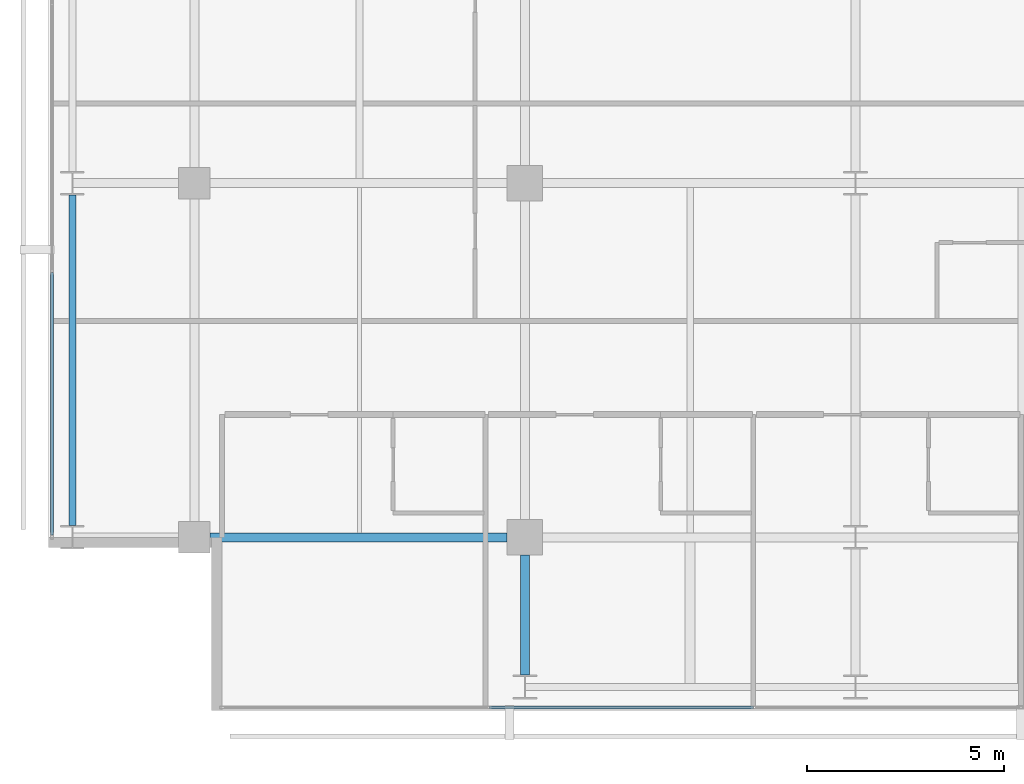
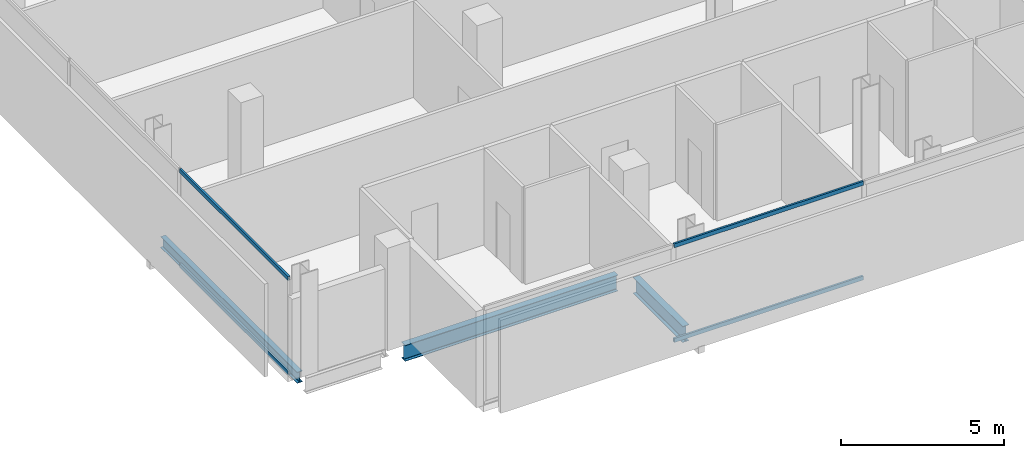
# One storey, part 3 of 33: 4 members, 3 beams, 2 elements without a shape of their own.
"""IFC4 building model written with IfcOpenShell, lengths in metres."""

from ifc_helpers import new_model, si_unit, direction, frame, origin, origin_2d, place, context, subcontext, project, spatial, hollow_rectangle, i_section, extrude, material, layer, layer_set, material_profile, profile_set, type_object, element, aggregate, save


model = new_model("IFC4")

# Units and contexts
model_context = context("Model", 3, precision=1e-05, world=origin(), true_north=direction((0.0, 1.0)))
body_context = subcontext(model_context, "Body", "Model", "MODEL_VIEW")
ifc_project = project(units=[si_unit("LENGTHUNIT", "METRE"), si_unit("AREAUNIT", "SQUARE_METRE"), si_unit("VOLUMEUNIT", "CUBIC_METRE"), si_unit("PLANEANGLEUNIT", "RADIAN"), si_unit("MASSUNIT", "GRAM", prefix="KILO")], contexts=[model_context])

# Site, building, storey
site_placement = place(None, origin())
site = spatial("IfcSite", under=ifc_project, at=site_placement, CompositionType="ELEMENT")
building_placement = place(site_placement, origin())
building = spatial("IfcBuilding", under=site, at=building_placement, Name="Maruvema Waterfront Hotel and Observation Tower", CompositionType="ELEMENT")
storey_placement = place(building_placement, frame((0.0, 0.0, 158.199951171875)))
storey = spatial("IfcBuildingStorey", under=building, at=storey_placement, Name="L38", CompositionType="ELEMENT", Elevation=158.199951171875)

# Curtain wall, members
ifc_material_1 = material(Name="Anodised bronze aluminium and solar-control low-E IGU", Category="aluminium")
ifc_layer = layer(ifc_material_1, 0.159912109375, Name="Zone 2 Amber Inner Thermal Curtain Wall System CW-03")
ifc_layer_set = layer_set([ifc_layer], Name="Anodised bronze aluminium and solar-control low-E IGU")
curtain_wall_type = type_object("IfcCurtainWallType", Name="Zone 2 Amber Inner Thermal Curtain Wall System CW-03", PredefinedType="USERDEFINED", material=ifc_layer_set)
curtain_wall_1_placement = place(storey_placement, origin())
curtain_wall_1 = element("IfcCurtainWall", 1, at=curtain_wall_1_placement, inside=storey, type_object=curtain_wall_type, Name="L38 Curtain Wall CW-L38-S", ObjectType="UNITISED CURTAIN WALL", PredefinedType="USERDEFINED")
ifc_material_2 = material(Name="Anodised architectural bronze aluminium", Category="aluminium")
ifc_material_profile_1 = material_profile(ifc_material_2, hollow_rectangle(XDim=0.070068359375, YDim=0.14990234375, WallThickness=0.00390625, at=origin_2d()), Name="ALU-T70x150")
ifc_profile_set_1 = profile_set([ifc_material_profile_1], Name="Anodised architectural bronze aluminium")
member_type = type_object("IfcMemberType", Name="Curtain Wall Horizontal Transom ALU-T70x150", PredefinedType="USERDEFINED", material=ifc_profile_set_1)
member_1_placement = place(storey_placement, frame((24.296630859375, 4.679931640625, 0.030029296875), z_axis=(1.0, 0.0, 0.0), x_axis=(0.0, 1.0, 0.0)))
member_1 = element("IfcMember", 2, at=member_1_placement, type_object=member_type, Name="CW-03 transom 2.1", ObjectType="TRANSOM", PredefinedType="USERDEFINED", context=body_context, shape_type="SweptSolid", body=[
    extrude(hollow_rectangle(XDim=0.070068359375, YDim=0.14990234375, WallThickness=0.00390625, at=origin_2d()), origin(), (0.0, 0.0, 1.0), 6.706787109375),
])
member_2_placement = place(storey_placement, frame((24.296630859375, 4.679931640625, 3.580078125), z_axis=(1.0, 0.0, 0.0), x_axis=(0.0, 1.0, 0.0)))
member_2 = element("IfcMember", 3, at=member_2_placement, type_object=member_type, Name="CW-03 transom 2.2", ObjectType="TRANSOM", PredefinedType="USERDEFINED", context=body_context, shape_type="SweptSolid", body=[
    extrude(hollow_rectangle(XDim=0.070068359375, YDim=0.14990234375, WallThickness=0.00390625, at=origin_2d()), origin(), (0.0, 0.0, 1.0), 6.706787109375),
])
aggregate(curtain_wall_1, [member_1, member_2])

curtain_wall_2_placement = place(storey_placement, origin())
curtain_wall_2 = element("IfcCurtainWall", 4, at=curtain_wall_2_placement, inside=storey, type_object=curtain_wall_type, Name="L38 Curtain Wall CW-L38-W", ObjectType="UNITISED CURTAIN WALL", PredefinedType="USERDEFINED")
member_3_placement = place(storey_placement, frame((13.179931640625, 15.736572265625, 0.030029296875), z_axis=(0.0, -1.0, 0.0), x_axis=(1.0, 0.0, 0.0)))
member_3 = element("IfcMember", 5, at=member_3_placement, type_object=member_type, Name="CW-03 transom 6.1", ObjectType="TRANSOM", PredefinedType="USERDEFINED", context=body_context, shape_type="SweptSolid", body=[
    extrude(hollow_rectangle(XDim=0.070068359375, YDim=0.14990234375, WallThickness=0.00390625, at=origin_2d()), origin(), (0.0, 0.0, 1.0), 6.676513671875),
])
member_4_placement = place(storey_placement, frame((13.179931640625, 15.736572265625, 3.580078125), z_axis=(0.0, -1.0, 0.0), x_axis=(1.0, 0.0, 0.0)))
member_4 = element("IfcMember", 6, at=member_4_placement, type_object=member_type, Name="CW-03 transom 6.2", ObjectType="TRANSOM", PredefinedType="USERDEFINED", context=body_context, shape_type="SweptSolid", body=[
    extrude(hollow_rectangle(XDim=0.070068359375, YDim=0.14990234375, WallThickness=0.00390625, at=origin_2d()), origin(), (0.0, 0.0, 1.0), 6.676513671875),
])
aggregate(curtain_wall_2, [member_3, member_4])

# Beams
ifc_material_3 = material(Name="Steel ASTM A572 Grade 50", Category="steel")
ifc_material_profile_2 = material_profile(ifc_material_3, i_section(OverallWidth=0.180908203125, OverallDepth=0.4169921875, WebThickness=0.010986328125, FlangeThickness=0.018310546875, FilletRadius=0.014892578125, at=origin_2d()), Name="W410x85.0")
ifc_profile_set_2 = profile_set([ifc_material_profile_2], Name="Steel ASTM A572 Grade 50")
beam_type_1 = type_object("IfcBeamType", Name="Perimeter Spandrel Beam W410x85.0", PredefinedType="SPANDREL", material=ifc_profile_set_2)
beam_1_placement = place(storey_placement, frame((13.699951171875, 9.300048828125, -0.448486328125), z_axis=(0.0, 1.0, 0.0), x_axis=(-1.0, 0.0, 0.0)))
element("IfcBeam", 7, at=beam_1_placement, inside=storey, type_object=beam_type_1, Name="L38 Floor Girder NS-01", PredefinedType="SPANDREL", context=body_context, shape_type="SweptSolid", body=[
    extrude(i_section(OverallWidth=0.180908203125, OverallDepth=0.4169921875, WebThickness=0.010986328125, FlangeThickness=0.018310546875, FilletRadius=0.014892578125, at=origin_2d()), origin(), (0.0, 0.0, 1.0), 8.39990234375),
])
ifc_material_4 = material(Name="Steel ASTM A572 Grade 50", Category="steel")
ifc_material_profile_3 = material_profile(ifc_material_4, i_section(OverallWidth=0.22802734375, OverallDepth=0.60302734375, WebThickness=0.010498046875, FlangeThickness=0.014892578125, FilletRadius=0.01806640625, at=origin_2d()), Name="W610x101.0")
ifc_profile_set_3 = profile_set([ifc_material_profile_3], Name="Steel ASTM A572 Grade 50")
beam_type_2 = type_object("IfcBeamType", Name="Primary Floor Girder W610x101.0", PredefinedType="BEAM", material=ifc_profile_set_3)
beam_2_placement = place(storey_placement, frame((17.199951171875, 9.0, -0.54150390625), z_axis=(1.0, 0.0, 0.0), x_axis=(0.0, 1.0, 0.0)))
element("IfcBeam", 8, at=beam_2_placement, inside=storey, type_object=beam_type_2, Name="L38 Floor Girder EW-05", PredefinedType="BEAM", context=body_context, shape_type="SweptSolid", body=[
    extrude(i_section(OverallWidth=0.22802734375, OverallDepth=0.60302734375, WebThickness=0.010498046875, FlangeThickness=0.014892578125, FilletRadius=0.01806640625, at=origin_2d()), origin(), (0.0, 0.0, 1.0), 7.550048828125),
])
beam_3_placement = place(storey_placement, frame((25.199951171875, 5.5, -0.54150390625), z_axis=(0.0, 1.0, 0.0), x_axis=(-1.0, 0.0, 0.0)))
element("IfcBeam", 9, at=beam_3_placement, inside=storey, type_object=beam_type_2, Name="L38 Floor Girder NS-09", PredefinedType="BEAM", context=body_context, shape_type="SweptSolid", body=[
    extrude(i_section(OverallWidth=0.22802734375, OverallDepth=0.60302734375, WebThickness=0.010498046875, FlangeThickness=0.014892578125, FilletRadius=0.01806640625, at=origin_2d()), origin(), (0.0, 0.0, 1.0), 3.050048828125),
])

save(model, "model.ifc")
